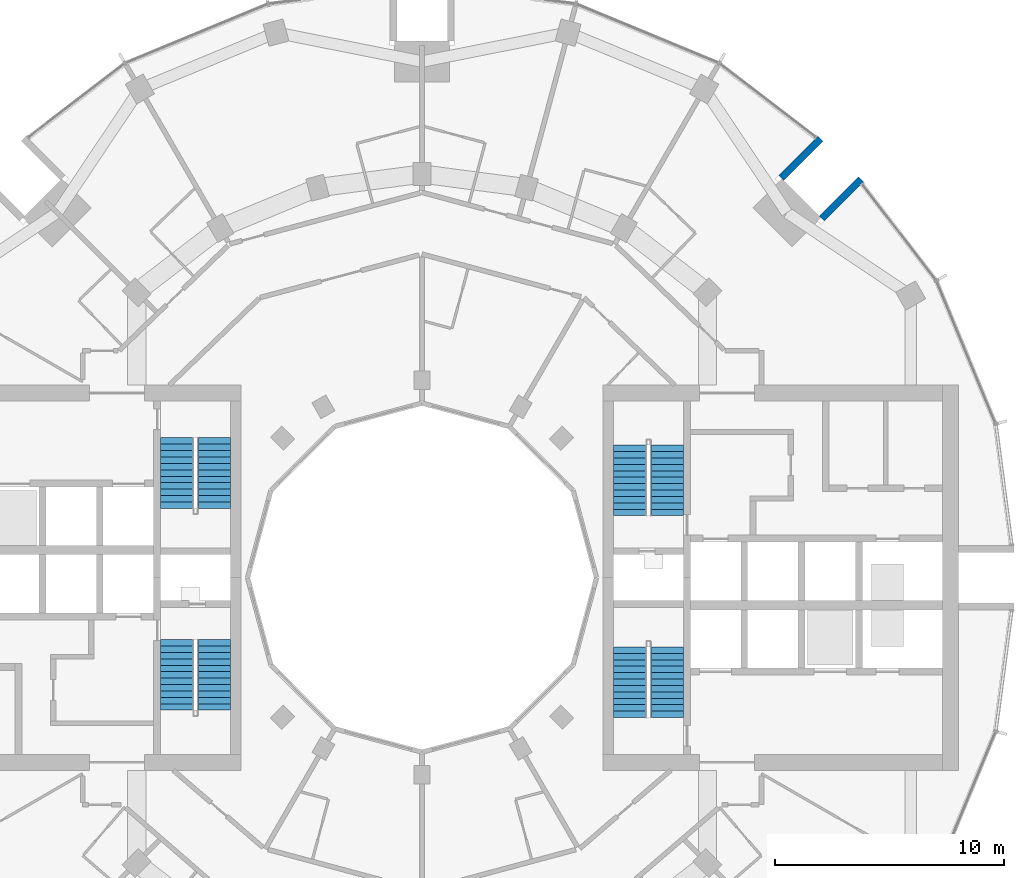
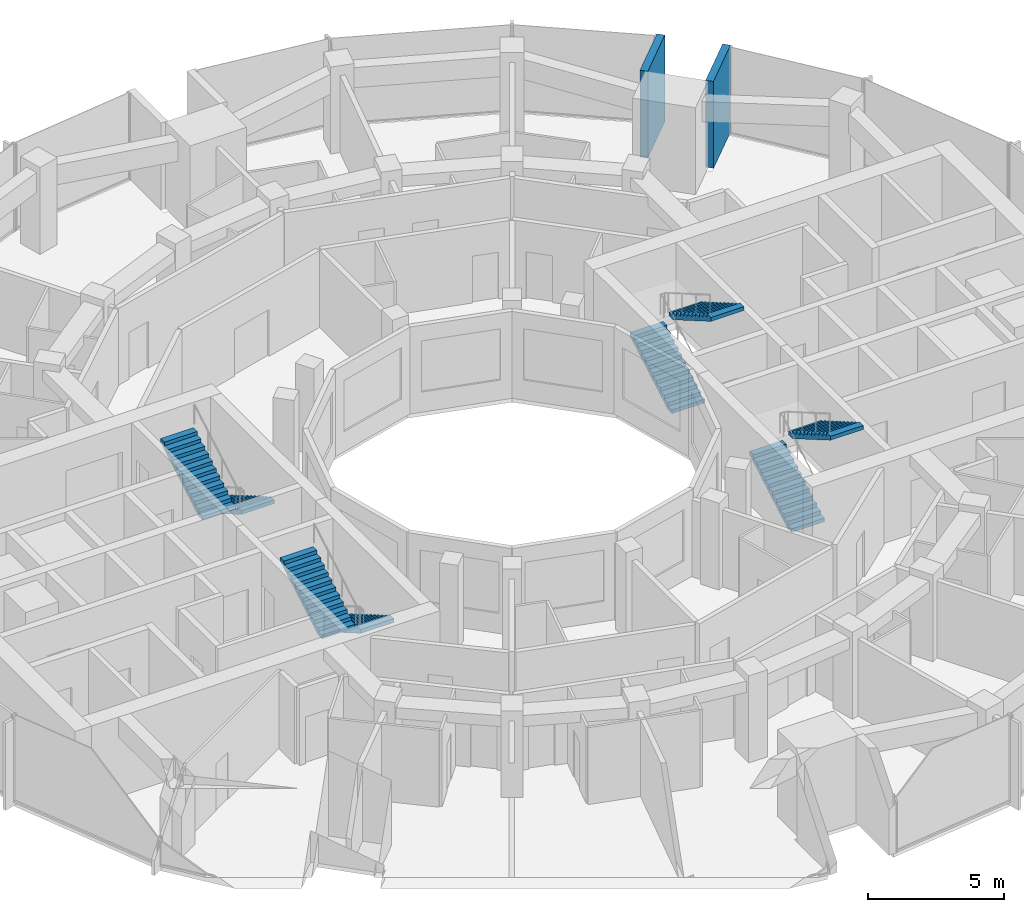
# One storey, part 13 of 15: 8 stair flights, 2 walls, 4 elements without a shape of their own.
"""IFC4 building model written with IfcOpenShell, lengths in metres."""

from ifc_helpers import new_model, si_unit, direction, frame, frame_2d, origin, place, context, subcontext, project, spatial, polyline, rectangle, outline, extrude, material, layer, layer_set, type_object, element, aggregate, save


model = new_model("IFC4")

# Units and contexts
model_context = context("Model", 3, precision=1e-05, world=origin(), true_north=direction((0.0, 1.0)))
body_context = subcontext(model_context, "Body", "Model", "MODEL_VIEW")
ifc_project = project(units=[si_unit("LENGTHUNIT", "METRE"), si_unit("AREAUNIT", "SQUARE_METRE"), si_unit("VOLUMEUNIT", "CUBIC_METRE"), si_unit("PLANEANGLEUNIT", "RADIAN"), si_unit("MASSUNIT", "GRAM", prefix="KILO")], contexts=[model_context])

# Site, building, storey
site_placement = place(None, origin())
site = spatial("IfcSite", under=ifc_project, at=site_placement, CompositionType="ELEMENT")
building_placement = place(site_placement, origin())
building = spatial("IfcBuilding", under=site, at=building_placement, Name="Torre Brocal", CompositionType="ELEMENT")
storey_placement = place(building_placement, frame((0.0, 0.0, 122.39990234375)))
storey = spatial("IfcBuildingStorey", under=building, at=storey_placement, Name="L28", CompositionType="ELEMENT", Elevation=122.39990234375)

# Walls
ifc_material_1 = material(Name="Concrete C70", Category="concrete")
ifc_layer_1 = layer(ifc_material_1, 0.300048828125)
ifc_layer_set_1 = layer_set([ifc_layer_1], Name="Concrete C70")
wall_type = type_object("IfcWallType", Name="NOTCH RETURN WALL 300 C70", PredefinedType="NOTDEFINED", material=ifc_layer_set_1)
for number, where, z_axis, x_axis, name in (
    (1, (97.43017578125, 90.662353515625, 0.0), (0.0, 0.0, 1.0), (0.707106781187, 0.707106781187, 0.0), "NOTCH RETURN WALL"),
    (2, (95.662353515625, 92.43017578125, 0.0), (0.0, 0.0, 1.0), (0.707106781187, 0.707106781187, 0.0), "NOTCH RETURN WALL"),
):
    element("IfcWall", number, at=place(storey_placement, frame(where, z_axis=z_axis, x_axis=x_axis)), inside=storey, type_object=wall_type, Name=name, PredefinedType="NOTDEFINED", context=body_context, shape_type="SweptSolid", body=[
        extrude(rectangle(XDim=2.415771484375, YDim=0.300048828125, at=frame_2d((1.2080078125, 0.0))), origin(), (0.0, 0.0, 1.0), 3.900146484375),
    ])

# Stair, stair flights
ifc_material_2 = material(Name="Concrete C50", Category="concrete")
stair_type = type_object("IfcStairType", Name="EXIT STAIR", PredefinedType="HALF_TURN_STAIR", material=ifc_material_2)
stair_1_placement = place(storey_placement, origin())
stair_1 = element("IfcStair", 3, at=stair_1_placement, inside=storey, type_object=stair_type, Name="EXIT STAIR ST1", PredefinedType="HALF_TURN_STAIR")
ifc_material_3 = material(Name="Concrete C50", Category="concrete")
ifc_layer_2 = layer(ifc_material_3, 0.14990234375)
ifc_layer_set_2 = layer_set([ifc_layer_2], Name="Concrete C50")
stair_flight_type = type_object("IfcStairFlightType", Name="STAIR FLIGHT", PredefinedType="STRAIGHT", material=ifc_layer_set_2)
stair_flight_1_placement = place(storey_placement, frame((89.050048828125, 77.699951171875, 0.0), z_axis=(0.0, 0.0, 1.0), x_axis=(0.0, 1.0, 0.0)))
stair_flight_1 = element("IfcStairFlight", 4, at=stair_flight_1_placement, type_object=stair_flight_type, Name="ST1 flight 1", NumberOfRisers=12, NumberOfTreads=11, PredefinedType="STRAIGHT", RiserHeight=0.1625, TreadLength=0.28, context=body_context, shape_type="SweptSolid", body=[
    extrude(outline(polyline([(0.0, 0.0), (0.0, 0.16259765625), (0.280029296875, 0.16259765625), (0.280029296875, 0.324951171875), (0.56005859375, 0.324951171875), (0.56005859375, 0.487548828125), (0.840087890625, 0.487548828125), (0.840087890625, 0.64990234375), (1.1201171875, 0.64990234375), (1.1201171875, 0.8125), (1.39990234375, 0.8125), (1.39990234375, 0.97509765625), (1.679931640625, 0.97509765625), (1.679931640625, 1.137451171875), (1.9599609375, 1.137451171875), (1.9599609375, 1.300048828125), (2.239990234375, 1.300048828125), (2.239990234375, 1.46240234375), (2.52001953125, 1.46240234375), (2.52001953125, 1.625), (2.800048828125, 1.625), (2.800048828125, 1.78759765625), (3.080078125, 1.78759765625), (3.080078125, 1.949951171875), (3.080078125, 1.6142578125), (0.298583984375, 0.0), (0.0, 0.0)])), frame((0.0, 0.699951171875, 0.0), z_axis=(0.0, -1.0, 0.0), x_axis=(1.0, 0.0, 0.0)), (0.0, 0.0, 1.0), 1.39990234375),
])
stair_flight_2_placement = place(storey_placement, frame((90.699951171875, 80.780029296875, 1.9501953125), z_axis=(0.0, 0.0, 1.0), x_axis=(0.0, -1.0, 0.0)))
stair_flight_2 = element("IfcStairFlight", 5, at=stair_flight_2_placement, type_object=stair_flight_type, Name="ST1 flight 2", NumberOfRisers=12, NumberOfTreads=11, PredefinedType="STRAIGHT", RiserHeight=0.1625, TreadLength=0.28, context=body_context, shape_type="SweptSolid", body=[
    extrude(outline(polyline([(0.0, 0.0), (0.0, 0.16259765625), (0.280029296875, 0.16259765625), (0.280029296875, 0.324951171875), (0.56005859375, 0.324951171875), (0.56005859375, 0.487548828125), (0.840087890625, 0.487548828125), (0.840087890625, 0.64990234375), (1.1201171875, 0.64990234375), (1.1201171875, 0.8125), (1.39990234375, 0.8125), (1.39990234375, 0.97509765625), (1.679931640625, 0.97509765625), (1.679931640625, 1.137451171875), (1.9599609375, 1.137451171875), (1.9599609375, 1.300048828125), (2.239990234375, 1.300048828125), (2.239990234375, 1.46240234375), (2.52001953125, 1.46240234375), (2.52001953125, 1.625), (2.800048828125, 1.625), (2.800048828125, 1.78759765625), (3.080078125, 1.78759765625), (3.080078125, 1.949951171875), (3.080078125, 1.6142578125), (0.298583984375, 0.0), (0.0, 0.0)])), frame((0.0, 0.699951171875, 0.0), z_axis=(0.0, -1.0, 0.0), x_axis=(1.0, 0.0, 0.0)), (0.0, 0.0, 1.0), 1.39990234375),
])
aggregate(stair_1, [stair_flight_1, stair_flight_2])

stair_2_placement = place(storey_placement, origin())
stair_2 = element("IfcStair", 6, at=stair_2_placement, inside=storey, type_object=stair_type, Name="EXIT STAIR ST2", PredefinedType="HALF_TURN_STAIR")
stair_flight_3_placement = place(storey_placement, frame((89.050048828125, 68.89990234375, 0.0), z_axis=(0.0, 0.0, 1.0), x_axis=(0.0, 1.0, 0.0)))
stair_flight_3 = element("IfcStairFlight", 7, at=stair_flight_3_placement, type_object=stair_flight_type, Name="ST2 flight 1", NumberOfRisers=12, NumberOfTreads=11, PredefinedType="STRAIGHT", RiserHeight=0.1625, TreadLength=0.28, context=body_context, shape_type="SweptSolid", body=[
    extrude(outline(polyline([(0.0, 0.0), (0.0, 0.16259765625), (0.280029296875, 0.16259765625), (0.280029296875, 0.324951171875), (0.56005859375, 0.324951171875), (0.56005859375, 0.487548828125), (0.840087890625, 0.487548828125), (0.840087890625, 0.64990234375), (1.1201171875, 0.64990234375), (1.1201171875, 0.8125), (1.39990234375, 0.8125), (1.39990234375, 0.97509765625), (1.679931640625, 0.97509765625), (1.679931640625, 1.137451171875), (1.9599609375, 1.137451171875), (1.9599609375, 1.300048828125), (2.239990234375, 1.300048828125), (2.239990234375, 1.46240234375), (2.52001953125, 1.46240234375), (2.52001953125, 1.625), (2.800048828125, 1.625), (2.800048828125, 1.78759765625), (3.080078125, 1.78759765625), (3.080078125, 1.949951171875), (3.080078125, 1.6142578125), (0.298583984375, 0.0), (0.0, 0.0)])), frame((0.0, 0.699951171875, 0.0), z_axis=(0.0, -1.0, 0.0), x_axis=(1.0, 0.0, 0.0)), (0.0, 0.0, 1.0), 1.39990234375),
])
stair_flight_4_placement = place(storey_placement, frame((90.699951171875, 71.97998046875, 1.9501953125), z_axis=(0.0, 0.0, 1.0), x_axis=(0.0, -1.0, 0.0)))
stair_flight_4 = element("IfcStairFlight", 8, at=stair_flight_4_placement, type_object=stair_flight_type, Name="ST2 flight 2", NumberOfRisers=12, NumberOfTreads=11, PredefinedType="STRAIGHT", RiserHeight=0.1625, TreadLength=0.28, context=body_context, shape_type="SweptSolid", body=[
    extrude(outline(polyline([(0.0, 0.0), (0.0, 0.16259765625), (0.280029296875, 0.16259765625), (0.280029296875, 0.324951171875), (0.56005859375, 0.324951171875), (0.56005859375, 0.487548828125), (0.840087890625, 0.487548828125), (0.840087890625, 0.64990234375), (1.1201171875, 0.64990234375), (1.1201171875, 0.8125), (1.39990234375, 0.8125), (1.39990234375, 0.97509765625), (1.679931640625, 0.97509765625), (1.679931640625, 1.137451171875), (1.9599609375, 1.137451171875), (1.9599609375, 1.300048828125), (2.239990234375, 1.300048828125), (2.239990234375, 1.46240234375), (2.52001953125, 1.46240234375), (2.52001953125, 1.625), (2.800048828125, 1.625), (2.800048828125, 1.78759765625), (3.080078125, 1.78759765625), (3.080078125, 1.949951171875), (3.080078125, 1.6142578125), (0.298583984375, 0.0), (0.0, 0.0)])), frame((0.0, 0.699951171875, 0.0), z_axis=(0.0, -1.0, 0.0), x_axis=(1.0, 0.0, 0.0)), (0.0, 0.0, 1.0), 1.39990234375),
])
aggregate(stair_2, [stair_flight_3, stair_flight_4])

stair_3_placement = place(storey_placement, origin())
stair_3 = element("IfcStair", 9, at=stair_3_placement, inside=storey, type_object=stair_type, Name="EXIT STAIR ST3", PredefinedType="HALF_TURN_STAIR")
stair_flight_5_placement = place(storey_placement, frame((70.949951171875, 72.300048828125, 0.0), z_axis=(0.0, 0.0, 1.0), x_axis=(0.0, -1.0, 0.0)))
stair_flight_5 = element("IfcStairFlight", 10, at=stair_flight_5_placement, type_object=stair_flight_type, Name="ST3 flight 1", NumberOfRisers=12, NumberOfTreads=11, PredefinedType="STRAIGHT", RiserHeight=0.1625, TreadLength=0.28, context=body_context, shape_type="SweptSolid", body=[
    extrude(outline(polyline([(0.0, 0.0), (0.0, 0.16259765625), (0.280029296875, 0.16259765625), (0.280029296875, 0.324951171875), (0.56005859375, 0.324951171875), (0.56005859375, 0.487548828125), (0.840087890625, 0.487548828125), (0.840087890625, 0.64990234375), (1.1201171875, 0.64990234375), (1.1201171875, 0.8125), (1.39990234375, 0.8125), (1.39990234375, 0.97509765625), (1.679931640625, 0.97509765625), (1.679931640625, 1.137451171875), (1.9599609375, 1.137451171875), (1.9599609375, 1.300048828125), (2.239990234375, 1.300048828125), (2.239990234375, 1.46240234375), (2.52001953125, 1.46240234375), (2.52001953125, 1.625), (2.800048828125, 1.625), (2.800048828125, 1.78759765625), (3.080078125, 1.78759765625), (3.080078125, 1.949951171875), (3.080078125, 1.6142578125), (0.298583984375, 0.0), (0.0, 0.0)])), frame((0.0, 0.699951171875, 0.0), z_axis=(0.0, -1.0, 0.0), x_axis=(1.0, 0.0, 0.0)), (0.0, 0.0, 1.0), 1.39990234375),
])
stair_flight_6_placement = place(storey_placement, frame((69.300048828125, 69.219970703125, 1.9501953125), z_axis=(0.0, 0.0, 1.0), x_axis=(0.0, 1.0, 0.0)))
stair_flight_6 = element("IfcStairFlight", 11, at=stair_flight_6_placement, type_object=stair_flight_type, Name="ST3 flight 2", NumberOfRisers=12, NumberOfTreads=11, PredefinedType="STRAIGHT", RiserHeight=0.1625, TreadLength=0.28, context=body_context, shape_type="SweptSolid", body=[
    extrude(outline(polyline([(0.0, 0.0), (0.0, 0.16259765625), (0.280029296875, 0.16259765625), (0.280029296875, 0.324951171875), (0.56005859375, 0.324951171875), (0.56005859375, 0.487548828125), (0.840087890625, 0.487548828125), (0.840087890625, 0.64990234375), (1.1201171875, 0.64990234375), (1.1201171875, 0.8125), (1.39990234375, 0.8125), (1.39990234375, 0.97509765625), (1.679931640625, 0.97509765625), (1.679931640625, 1.137451171875), (1.9599609375, 1.137451171875), (1.9599609375, 1.300048828125), (2.239990234375, 1.300048828125), (2.239990234375, 1.46240234375), (2.52001953125, 1.46240234375), (2.52001953125, 1.625), (2.800048828125, 1.625), (2.800048828125, 1.78759765625), (3.080078125, 1.78759765625), (3.080078125, 1.949951171875), (3.080078125, 1.6142578125), (0.298583984375, 0.0), (0.0, 0.0)])), frame((0.0, 0.699951171875, 0.0), z_axis=(0.0, -1.0, 0.0), x_axis=(1.0, 0.0, 0.0)), (0.0, 0.0, 1.0), 1.39990234375),
])
aggregate(stair_3, [stair_flight_5, stair_flight_6])

stair_4_placement = place(storey_placement, origin())
stair_4 = element("IfcStair", 12, at=stair_4_placement, inside=storey, type_object=stair_type, Name="EXIT STAIR ST4", PredefinedType="HALF_TURN_STAIR")
stair_flight_7_placement = place(storey_placement, frame((70.949951171875, 81.10009765625, 0.0), z_axis=(0.0, 0.0, 1.0), x_axis=(0.0, -1.0, 0.0)))
stair_flight_7 = element("IfcStairFlight", 13, at=stair_flight_7_placement, type_object=stair_flight_type, Name="ST4 flight 1", NumberOfRisers=12, NumberOfTreads=11, PredefinedType="STRAIGHT", RiserHeight=0.1625, TreadLength=0.28, context=body_context, shape_type="SweptSolid", body=[
    extrude(outline(polyline([(0.0, 0.0), (0.0, 0.16259765625), (0.280029296875, 0.16259765625), (0.280029296875, 0.324951171875), (0.56005859375, 0.324951171875), (0.56005859375, 0.487548828125), (0.840087890625, 0.487548828125), (0.840087890625, 0.64990234375), (1.1201171875, 0.64990234375), (1.1201171875, 0.8125), (1.39990234375, 0.8125), (1.39990234375, 0.97509765625), (1.679931640625, 0.97509765625), (1.679931640625, 1.137451171875), (1.9599609375, 1.137451171875), (1.9599609375, 1.300048828125), (2.239990234375, 1.300048828125), (2.239990234375, 1.46240234375), (2.52001953125, 1.46240234375), (2.52001953125, 1.625), (2.800048828125, 1.625), (2.800048828125, 1.78759765625), (3.080078125, 1.78759765625), (3.080078125, 1.949951171875), (3.080078125, 1.6142578125), (0.298583984375, 0.0), (0.0, 0.0)])), frame((0.0, 0.699951171875, 0.0), z_axis=(0.0, -1.0, 0.0), x_axis=(1.0, 0.0, 0.0)), (0.0, 0.0, 1.0), 1.39990234375),
])
stair_flight_8_placement = place(storey_placement, frame((69.300048828125, 78.02001953125, 1.9501953125), z_axis=(0.0, 0.0, 1.0), x_axis=(0.0, 1.0, 0.0)))
stair_flight_8 = element("IfcStairFlight", 14, at=stair_flight_8_placement, type_object=stair_flight_type, Name="ST4 flight 2", NumberOfRisers=12, NumberOfTreads=11, PredefinedType="STRAIGHT", RiserHeight=0.1625, TreadLength=0.28, context=body_context, shape_type="SweptSolid", body=[
    extrude(outline(polyline([(0.0, 0.0), (0.0, 0.16259765625), (0.280029296875, 0.16259765625), (0.280029296875, 0.324951171875), (0.56005859375, 0.324951171875), (0.56005859375, 0.487548828125), (0.840087890625, 0.487548828125), (0.840087890625, 0.64990234375), (1.1201171875, 0.64990234375), (1.1201171875, 0.8125), (1.39990234375, 0.8125), (1.39990234375, 0.97509765625), (1.679931640625, 0.97509765625), (1.679931640625, 1.137451171875), (1.9599609375, 1.137451171875), (1.9599609375, 1.300048828125), (2.239990234375, 1.300048828125), (2.239990234375, 1.46240234375), (2.52001953125, 1.46240234375), (2.52001953125, 1.625), (2.800048828125, 1.625), (2.800048828125, 1.78759765625), (3.080078125, 1.78759765625), (3.080078125, 1.949951171875), (3.080078125, 1.6142578125), (0.298583984375, 0.0), (0.0, 0.0)])), frame((0.0, 0.699951171875, 0.0), z_axis=(0.0, -1.0, 0.0), x_axis=(1.0, 0.0, 0.0)), (0.0, 0.0, 1.0), 1.39990234375),
])
aggregate(stair_4, [stair_flight_7, stair_flight_8])

save(model, "model.ifc")
